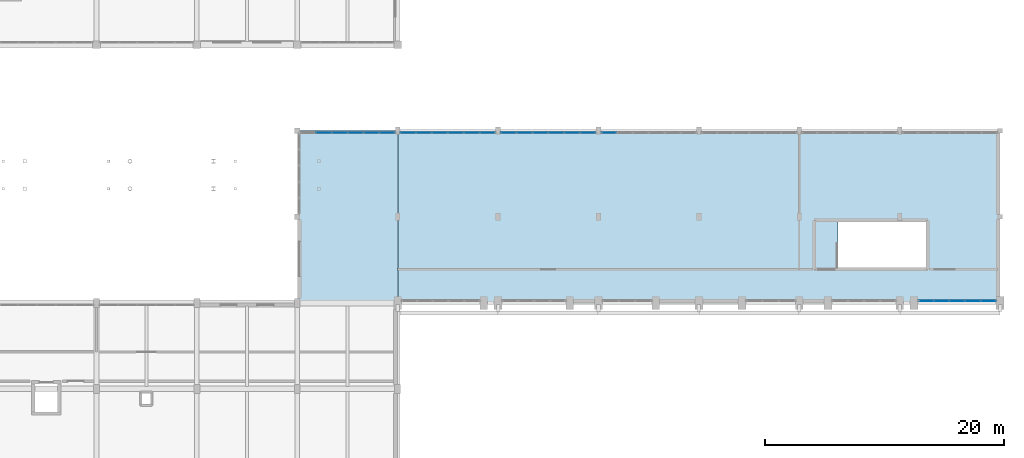
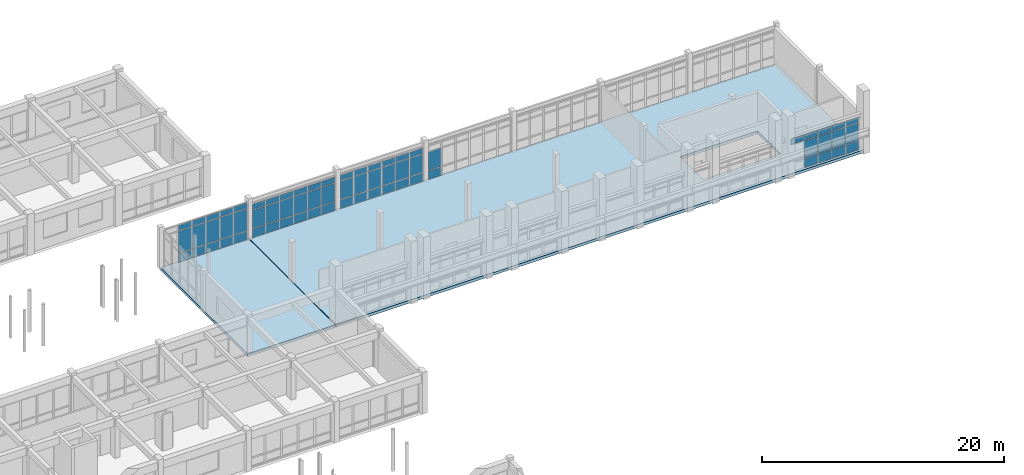
# One storey, part 119 of 147: 66 plates, 2 slabs, 5 elements without a shape of their own.
"""IFC4 building model written with IfcOpenShell, lengths in metres."""

from ifc_helpers import new_model, si_unit, direction, frame, origin, origin_2d, place, context, subcontext, project, spatial, polyline, rectangle, outline, extrude, material, layer, layer_set, type_object, element, aggregate, save


model = new_model("IFC4")

# Units and contexts
model_context = context("Model", 3, precision=1e-05, world=origin(), true_north=direction((0.0, 1.0)))
body_context = subcontext(model_context, "Body", "Model", "MODEL_VIEW")
ifc_project = project(units=[si_unit("LENGTHUNIT", "METRE"), si_unit("AREAUNIT", "SQUARE_METRE"), si_unit("VOLUMEUNIT", "CUBIC_METRE"), si_unit("PLANEANGLEUNIT", "RADIAN"), si_unit("MASSUNIT", "GRAM", prefix="KILO")], contexts=[model_context])

# Site, building, storey
site_placement = place(None, origin())
site = spatial("IfcSite", under=ifc_project, at=site_placement, CompositionType="ELEMENT")
building_placement = place(site_placement, origin())
building = spatial("IfcBuilding", under=site, at=building_placement, Name="Malvenik Polytechnic", CompositionType="ELEMENT")
storey_placement = place(building_placement, frame((0.0, 0.0, 5.10009765625)))
storey = spatial("IfcBuildingStorey", under=building, at=storey_placement, Name="L01", CompositionType="ELEMENT", Elevation=5.10009765625)

# Curtain wall, plates
ifc_material_1 = material(Name="Anodised aluminium 6060-T6", Category="aluminium")
curtain_wall_type_1 = type_object("IfcCurtainWallType", Name="ARC-CW-CW-01", PredefinedType="NOTDEFINED", material=ifc_material_1)
curtain_wall_1_placement = place(storey_placement, origin())
curtain_wall_1 = element("IfcCurtainWall", 1, at=curtain_wall_1_placement, inside=storey, type_object=curtain_wall_type_1, Name="Unitised Curtain Wall CW-01 L01 #64", PredefinedType="NOTDEFINED")
ifc_material_2 = material(Name="Insulated low-E double glazing 8-16-8", Category="glass")
ifc_layer_1 = layer(ifc_material_2, 0.028076171875)
ifc_layer_set_1 = layer_set([ifc_layer_1], Name="Insulated low-E double glazing 8-16-8")
plate_type_1 = type_object("IfcPlateType", Name="ARC-CWP-CP-GLZ28", PredefinedType="CURTAIN_PANEL", material=ifc_layer_set_1)
plate_1_placement = place(storey_placement, frame((128.2177734375, 107.830078125, 0.97998046875), z_axis=(0.0, 0.0, 1.0), x_axis=(1.0, 0.0, 0.0)))
plate_1 = element("IfcPlate", 2, at=plate_1_placement, type_object=plate_type_1, Name="CW-01 panel 2.2", PredefinedType="CURTAIN_PANEL", context=body_context, shape_type="SweptSolid", body=[
    extrude(rectangle(XDim=1.269775390625, YDim=0.028076171875, at=origin_2d()), origin(), (0.0, 0.0, 1.0), 2.199951171875),
])
plate_2_placement = place(storey_placement, frame((128.2177734375, 107.830078125, 3.239990234375), z_axis=(0.0, 0.0, 1.0), x_axis=(1.0, 0.0, 0.0)))
plate_2 = element("IfcPlate", 3, at=plate_2_placement, type_object=plate_type_1, Name="CW-01 panel 2.3", PredefinedType="CURTAIN_PANEL", context=body_context, shape_type="SweptSolid", body=[
    extrude(rectangle(XDim=1.269775390625, YDim=0.028076171875, at=origin_2d()), origin(), (0.0, 0.0, 1.0), 0.56005859375),
])
plate_3_placement = place(storey_placement, frame((129.547607421875, 107.830078125, 0.97998046875), z_axis=(0.0, 0.0, 1.0), x_axis=(1.0, 0.0, 0.0)))
plate_3 = element("IfcPlate", 4, at=plate_3_placement, type_object=plate_type_1, Name="CW-01 panel 3.2", PredefinedType="CURTAIN_PANEL", context=body_context, shape_type="SweptSolid", body=[
    extrude(rectangle(XDim=1.269775390625, YDim=0.028076171875, at=origin_2d()), origin(), (0.0, 0.0, 1.0), 2.199951171875),
])
plate_4_placement = place(storey_placement, frame((129.547607421875, 107.830078125, 3.239990234375), z_axis=(0.0, 0.0, 1.0), x_axis=(1.0, 0.0, 0.0)))
plate_4 = element("IfcPlate", 5, at=plate_4_placement, type_object=plate_type_1, Name="CW-01 panel 3.3", PredefinedType="CURTAIN_PANEL", context=body_context, shape_type="SweptSolid", body=[
    extrude(rectangle(XDim=1.269775390625, YDim=0.028076171875, at=origin_2d()), origin(), (0.0, 0.0, 1.0), 0.56005859375),
])
plate_5_placement = place(storey_placement, frame((130.87744140625, 107.830078125, 0.97998046875), z_axis=(0.0, 0.0, 1.0), x_axis=(1.0, 0.0, 0.0)))
plate_5 = element("IfcPlate", 6, at=plate_5_placement, type_object=plate_type_1, Name="CW-01 panel 4.2", PredefinedType="CURTAIN_PANEL", context=body_context, shape_type="SweptSolid", body=[
    extrude(rectangle(XDim=1.269775390625, YDim=0.028076171875, at=origin_2d()), origin(), (0.0, 0.0, 1.0), 2.199951171875),
])
plate_6_placement = place(storey_placement, frame((130.87744140625, 107.830078125, 3.239990234375), z_axis=(0.0, 0.0, 1.0), x_axis=(1.0, 0.0, 0.0)))
plate_6 = element("IfcPlate", 7, at=plate_6_placement, type_object=plate_type_1, Name="CW-01 panel 4.3", PredefinedType="CURTAIN_PANEL", context=body_context, shape_type="SweptSolid", body=[
    extrude(rectangle(XDim=1.269775390625, YDim=0.028076171875, at=origin_2d()), origin(), (0.0, 0.0, 1.0), 0.56005859375),
])
plate_7_placement = place(storey_placement, frame((132.207275390625, 107.830078125, 0.97998046875), z_axis=(0.0, 0.0, 1.0), x_axis=(1.0, 0.0, 0.0)))
plate_7 = element("IfcPlate", 8, at=plate_7_placement, type_object=plate_type_1, Name="CW-01 panel 5.2", PredefinedType="CURTAIN_PANEL", context=body_context, shape_type="SweptSolid", body=[
    extrude(rectangle(XDim=1.269775390625, YDim=0.028076171875, at=origin_2d()), origin(), (0.0, 0.0, 1.0), 2.199951171875),
])
plate_8_placement = place(storey_placement, frame((132.207275390625, 107.830078125, 3.239990234375), z_axis=(0.0, 0.0, 1.0), x_axis=(1.0, 0.0, 0.0)))
plate_8 = element("IfcPlate", 9, at=plate_8_placement, type_object=plate_type_1, Name="CW-01 panel 5.3", PredefinedType="CURTAIN_PANEL", context=body_context, shape_type="SweptSolid", body=[
    extrude(rectangle(XDim=1.269775390625, YDim=0.028076171875, at=origin_2d()), origin(), (0.0, 0.0, 1.0), 0.56005859375),
])
plate_9_placement = place(storey_placement, frame((133.52197265625, 107.830078125, 0.97998046875), z_axis=(0.0, 0.0, 1.0), x_axis=(1.0, 0.0, 0.0)))
plate_9 = element("IfcPlate", 10, at=plate_9_placement, type_object=plate_type_1, Name="CW-01 panel 6.2", PredefinedType="CURTAIN_PANEL", context=body_context, shape_type="SweptSolid", body=[
    extrude(rectangle(XDim=1.23974609375, YDim=0.028076171875, at=origin_2d()), origin(), (0.0, 0.0, 1.0), 2.199951171875),
])
plate_10_placement = place(storey_placement, frame((133.52197265625, 107.830078125, 3.239990234375), z_axis=(0.0, 0.0, 1.0), x_axis=(1.0, 0.0, 0.0)))
plate_10 = element("IfcPlate", 11, at=plate_10_placement, type_object=plate_type_1, Name="CW-01 panel 6.3", PredefinedType="CURTAIN_PANEL", context=body_context, shape_type="SweptSolid", body=[
    extrude(rectangle(XDim=1.23974609375, YDim=0.028076171875, at=origin_2d()), origin(), (0.0, 0.0, 1.0), 0.56005859375),
])

curtain_wall_type_2 = type_object("IfcCurtainWallType", Name="ARC-CW-CW-02", PredefinedType="NOTDEFINED", material=ifc_material_1)
curtain_wall_2_placement = place(storey_placement, origin())
curtain_wall_2 = element("IfcCurtainWall", 12, at=curtain_wall_2_placement, inside=storey, type_object=curtain_wall_type_2, Name="Unitised Curtain Wall CW-02 L01 #65", PredefinedType="NOTDEFINED")
plate_11_placement = place(storey_placement, frame((135.280029296875, 107.830078125, 0.97998046875), z_axis=(0.0, 0.0, 1.0), x_axis=(1.0, 0.0, 0.0)))
plate_11 = element("IfcPlate", 13, at=plate_11_placement, type_object=plate_type_1, Name="CW-02 panel 1.2", PredefinedType="CURTAIN_PANEL", context=body_context, shape_type="SweptSolid", body=[
    extrude(rectangle(XDim=1.243896484375, YDim=0.028076171875, at=origin_2d()), origin(), (0.0, 0.0, 1.0), 1.837890625),
])
plate_12_placement = place(storey_placement, frame((135.280029296875, 107.830078125, 2.8779296875), z_axis=(0.0, 0.0, 1.0), x_axis=(1.0, 0.0, 0.0)))
plate_12 = element("IfcPlate", 14, at=plate_12_placement, type_object=plate_type_1, Name="CW-02 panel 1.3", PredefinedType="CURTAIN_PANEL", context=body_context, shape_type="SweptSolid", body=[
    extrude(rectangle(XDim=1.243896484375, YDim=0.028076171875, at=origin_2d()), origin(), (0.0, 0.0, 1.0), 0.56005859375),
])
plate_13_placement = place(storey_placement, frame((136.59912109375, 107.830078125, 0.97998046875), z_axis=(0.0, 0.0, 1.0), x_axis=(1.0, 0.0, 0.0)))
plate_13 = element("IfcPlate", 15, at=plate_13_placement, type_object=plate_type_1, Name="CW-02 panel 2.2", PredefinedType="CURTAIN_PANEL", context=body_context, shape_type="SweptSolid", body=[
    extrude(rectangle(XDim=1.27392578125, YDim=0.028076171875, at=origin_2d()), origin(), (0.0, 0.0, 1.0), 1.837890625),
])
plate_14_placement = place(storey_placement, frame((136.59912109375, 107.830078125, 2.8779296875), z_axis=(0.0, 0.0, 1.0), x_axis=(1.0, 0.0, 0.0)))
plate_14 = element("IfcPlate", 16, at=plate_14_placement, type_object=plate_type_1, Name="CW-02 panel 2.3", PredefinedType="CURTAIN_PANEL", context=body_context, shape_type="SweptSolid", body=[
    extrude(rectangle(XDim=1.27392578125, YDim=0.028076171875, at=origin_2d()), origin(), (0.0, 0.0, 1.0), 0.56005859375),
])
plate_15_placement = place(storey_placement, frame((137.93310546875, 107.830078125, 0.97998046875), z_axis=(0.0, 0.0, 1.0), x_axis=(1.0, 0.0, 0.0)))
plate_15 = element("IfcPlate", 17, at=plate_15_placement, type_object=plate_type_1, Name="CW-02 panel 3.2", PredefinedType="CURTAIN_PANEL", context=body_context, shape_type="SweptSolid", body=[
    extrude(rectangle(XDim=1.27392578125, YDim=0.028076171875, at=origin_2d()), origin(), (0.0, 0.0, 1.0), 1.837890625),
])
plate_16_placement = place(storey_placement, frame((137.93310546875, 107.830078125, 2.8779296875), z_axis=(0.0, 0.0, 1.0), x_axis=(1.0, 0.0, 0.0)))
plate_16 = element("IfcPlate", 18, at=plate_16_placement, type_object=plate_type_1, Name="CW-02 panel 3.3", PredefinedType="CURTAIN_PANEL", context=body_context, shape_type="SweptSolid", body=[
    extrude(rectangle(XDim=1.27392578125, YDim=0.028076171875, at=origin_2d()), origin(), (0.0, 0.0, 1.0), 0.56005859375),
])
plate_17_placement = place(storey_placement, frame((139.26708984375, 107.830078125, 0.97998046875), z_axis=(0.0, 0.0, 1.0), x_axis=(1.0, 0.0, 0.0)))
plate_17 = element("IfcPlate", 19, at=plate_17_placement, type_object=plate_type_1, Name="CW-02 panel 4.2", PredefinedType="CURTAIN_PANEL", context=body_context, shape_type="SweptSolid", body=[
    extrude(rectangle(XDim=1.27392578125, YDim=0.028076171875, at=origin_2d()), origin(), (0.0, 0.0, 1.0), 1.837890625),
])
plate_18_placement = place(storey_placement, frame((139.26708984375, 107.830078125, 2.8779296875), z_axis=(0.0, 0.0, 1.0), x_axis=(1.0, 0.0, 0.0)))
plate_18 = element("IfcPlate", 20, at=plate_18_placement, type_object=plate_type_1, Name="CW-02 panel 4.3", PredefinedType="CURTAIN_PANEL", context=body_context, shape_type="SweptSolid", body=[
    extrude(rectangle(XDim=1.27392578125, YDim=0.028076171875, at=origin_2d()), origin(), (0.0, 0.0, 1.0), 0.56005859375),
])
plate_19_placement = place(storey_placement, frame((140.60107421875, 107.830078125, 0.97998046875), z_axis=(0.0, 0.0, 1.0), x_axis=(1.0, 0.0, 0.0)))
plate_19 = element("IfcPlate", 21, at=plate_19_placement, type_object=plate_type_1, Name="CW-02 panel 5.2", PredefinedType="CURTAIN_PANEL", context=body_context, shape_type="SweptSolid", body=[
    extrude(rectangle(XDim=1.27392578125, YDim=0.028076171875, at=origin_2d()), origin(), (0.0, 0.0, 1.0), 1.837890625),
])
plate_20_placement = place(storey_placement, frame((140.60107421875, 107.830078125, 2.8779296875), z_axis=(0.0, 0.0, 1.0), x_axis=(1.0, 0.0, 0.0)))
plate_20 = element("IfcPlate", 22, at=plate_20_placement, type_object=plate_type_1, Name="CW-02 panel 5.3", PredefinedType="CURTAIN_PANEL", context=body_context, shape_type="SweptSolid", body=[
    extrude(rectangle(XDim=1.27392578125, YDim=0.028076171875, at=origin_2d()), origin(), (0.0, 0.0, 1.0), 0.56005859375),
])
plate_21_placement = place(storey_placement, frame((141.919921875, 107.830078125, 0.97998046875), z_axis=(0.0, 0.0, 1.0), x_axis=(1.0, 0.0, 0.0)))
plate_21 = element("IfcPlate", 23, at=plate_21_placement, type_object=plate_type_1, Name="CW-02 panel 6.2", PredefinedType="CURTAIN_PANEL", context=body_context, shape_type="SweptSolid", body=[
    extrude(rectangle(XDim=1.243896484375, YDim=0.028076171875, at=origin_2d()), origin(), (0.0, 0.0, 1.0), 1.837890625),
])
plate_22_placement = place(storey_placement, frame((141.919921875, 107.830078125, 2.8779296875), z_axis=(0.0, 0.0, 1.0), x_axis=(1.0, 0.0, 0.0)))
plate_22 = element("IfcPlate", 24, at=plate_22_placement, type_object=plate_type_1, Name="CW-02 panel 6.3", PredefinedType="CURTAIN_PANEL", context=body_context, shape_type="SweptSolid", body=[
    extrude(rectangle(XDim=1.243896484375, YDim=0.028076171875, at=origin_2d()), origin(), (0.0, 0.0, 1.0), 0.56005859375),
])

curtain_wall_3_placement = place(storey_placement, origin())
curtain_wall_3 = element("IfcCurtainWall", 25, at=curtain_wall_3_placement, inside=storey, type_object=curtain_wall_type_2, Name="Unitised Curtain Wall CW-02 L01 #66", PredefinedType="NOTDEFINED")
plate_23_placement = place(storey_placement, frame((143.679931640625, 107.830078125, 0.97998046875), z_axis=(0.0, 0.0, 1.0), x_axis=(1.0, 0.0, 0.0)))
plate_23 = element("IfcPlate", 26, at=plate_23_placement, type_object=plate_type_1, Name="CW-02 panel 1.2", PredefinedType="CURTAIN_PANEL", context=body_context, shape_type="SweptSolid", body=[
    extrude(rectangle(XDim=1.243896484375, YDim=0.028076171875, at=origin_2d()), origin(), (0.0, 0.0, 1.0), 1.837890625),
])
plate_24_placement = place(storey_placement, frame((143.679931640625, 107.830078125, 2.8779296875), z_axis=(0.0, 0.0, 1.0), x_axis=(1.0, 0.0, 0.0)))
plate_24 = element("IfcPlate", 27, at=plate_24_placement, type_object=plate_type_1, Name="CW-02 panel 1.3", PredefinedType="CURTAIN_PANEL", context=body_context, shape_type="SweptSolid", body=[
    extrude(rectangle(XDim=1.243896484375, YDim=0.028076171875, at=origin_2d()), origin(), (0.0, 0.0, 1.0), 0.56005859375),
])
plate_25_placement = place(storey_placement, frame((144.9990234375, 107.830078125, 0.97998046875), z_axis=(0.0, 0.0, 1.0), x_axis=(1.0, 0.0, 0.0)))
plate_25 = element("IfcPlate", 28, at=plate_25_placement, type_object=plate_type_1, Name="CW-02 panel 2.2", PredefinedType="CURTAIN_PANEL", context=body_context, shape_type="SweptSolid", body=[
    extrude(rectangle(XDim=1.27392578125, YDim=0.028076171875, at=origin_2d()), origin(), (0.0, 0.0, 1.0), 1.837890625),
])
plate_26_placement = place(storey_placement, frame((144.9990234375, 107.830078125, 2.8779296875), z_axis=(0.0, 0.0, 1.0), x_axis=(1.0, 0.0, 0.0)))
plate_26 = element("IfcPlate", 29, at=plate_26_placement, type_object=plate_type_1, Name="CW-02 panel 2.3", PredefinedType="CURTAIN_PANEL", context=body_context, shape_type="SweptSolid", body=[
    extrude(rectangle(XDim=1.27392578125, YDim=0.028076171875, at=origin_2d()), origin(), (0.0, 0.0, 1.0), 0.56005859375),
])
plate_27_placement = place(storey_placement, frame((146.3330078125, 107.830078125, 0.97998046875), z_axis=(0.0, 0.0, 1.0), x_axis=(1.0, 0.0, 0.0)))
plate_27 = element("IfcPlate", 30, at=plate_27_placement, type_object=plate_type_1, Name="CW-02 panel 3.2", PredefinedType="CURTAIN_PANEL", context=body_context, shape_type="SweptSolid", body=[
    extrude(rectangle(XDim=1.27392578125, YDim=0.028076171875, at=origin_2d()), origin(), (0.0, 0.0, 1.0), 1.837890625),
])
plate_28_placement = place(storey_placement, frame((146.3330078125, 107.830078125, 2.8779296875), z_axis=(0.0, 0.0, 1.0), x_axis=(1.0, 0.0, 0.0)))
plate_28 = element("IfcPlate", 31, at=plate_28_placement, type_object=plate_type_1, Name="CW-02 panel 3.3", PredefinedType="CURTAIN_PANEL", context=body_context, shape_type="SweptSolid", body=[
    extrude(rectangle(XDim=1.27392578125, YDim=0.028076171875, at=origin_2d()), origin(), (0.0, 0.0, 1.0), 0.56005859375),
])
plate_29_placement = place(storey_placement, frame((147.6669921875, 107.830078125, 0.97998046875), z_axis=(0.0, 0.0, 1.0), x_axis=(1.0, 0.0, 0.0)))
plate_29 = element("IfcPlate", 32, at=plate_29_placement, type_object=plate_type_1, Name="CW-02 panel 4.2", PredefinedType="CURTAIN_PANEL", context=body_context, shape_type="SweptSolid", body=[
    extrude(rectangle(XDim=1.27392578125, YDim=0.028076171875, at=origin_2d()), origin(), (0.0, 0.0, 1.0), 1.837890625),
])
plate_30_placement = place(storey_placement, frame((147.6669921875, 107.830078125, 2.8779296875), z_axis=(0.0, 0.0, 1.0), x_axis=(1.0, 0.0, 0.0)))
plate_30 = element("IfcPlate", 33, at=plate_30_placement, type_object=plate_type_1, Name="CW-02 panel 4.3", PredefinedType="CURTAIN_PANEL", context=body_context, shape_type="SweptSolid", body=[
    extrude(rectangle(XDim=1.27392578125, YDim=0.028076171875, at=origin_2d()), origin(), (0.0, 0.0, 1.0), 0.56005859375),
])
plate_31_placement = place(storey_placement, frame((149.0009765625, 107.830078125, 0.97998046875), z_axis=(0.0, 0.0, 1.0), x_axis=(1.0, 0.0, 0.0)))
plate_31 = element("IfcPlate", 34, at=plate_31_placement, type_object=plate_type_1, Name="CW-02 panel 5.2", PredefinedType="CURTAIN_PANEL", context=body_context, shape_type="SweptSolid", body=[
    extrude(rectangle(XDim=1.27392578125, YDim=0.028076171875, at=origin_2d()), origin(), (0.0, 0.0, 1.0), 1.837890625),
])
plate_32_placement = place(storey_placement, frame((149.0009765625, 107.830078125, 2.8779296875), z_axis=(0.0, 0.0, 1.0), x_axis=(1.0, 0.0, 0.0)))
plate_32 = element("IfcPlate", 35, at=plate_32_placement, type_object=plate_type_1, Name="CW-02 panel 5.3", PredefinedType="CURTAIN_PANEL", context=body_context, shape_type="SweptSolid", body=[
    extrude(rectangle(XDim=1.27392578125, YDim=0.028076171875, at=origin_2d()), origin(), (0.0, 0.0, 1.0), 0.56005859375),
])
plate_33_placement = place(storey_placement, frame((150.320068359375, 107.830078125, 0.97998046875), z_axis=(0.0, 0.0, 1.0), x_axis=(1.0, 0.0, 0.0)))
plate_33 = element("IfcPlate", 36, at=plate_33_placement, type_object=plate_type_1, Name="CW-02 panel 6.2", PredefinedType="CURTAIN_PANEL", context=body_context, shape_type="SweptSolid", body=[
    extrude(rectangle(XDim=1.243896484375, YDim=0.028076171875, at=origin_2d()), origin(), (0.0, 0.0, 1.0), 1.837890625),
])
plate_34_placement = place(storey_placement, frame((150.320068359375, 107.830078125, 2.8779296875), z_axis=(0.0, 0.0, 1.0), x_axis=(1.0, 0.0, 0.0)))
plate_34 = element("IfcPlate", 37, at=plate_34_placement, type_object=plate_type_1, Name="CW-02 panel 6.3", PredefinedType="CURTAIN_PANEL", context=body_context, shape_type="SweptSolid", body=[
    extrude(rectangle(XDim=1.243896484375, YDim=0.028076171875, at=origin_2d()), origin(), (0.0, 0.0, 1.0), 0.56005859375),
])

# Curtain wall, plate
curtain_wall_4_placement = place(storey_placement, origin())
curtain_wall_4 = element("IfcCurtainWall", 38, at=curtain_wall_4_placement, inside=storey, type_object=curtain_wall_type_2, Name="Unitised Curtain Wall CW-02 L01 #67", PredefinedType="NOTDEFINED")
plate_35_placement = place(storey_placement, frame((152.080078125, 107.830078125, 0.97998046875), z_axis=(0.0, 0.0, 1.0), x_axis=(1.0, 0.0, 0.0)))
plate_35 = element("IfcPlate", 39, at=plate_35_placement, type_object=plate_type_1, Name="CW-02 panel 1.2", PredefinedType="CURTAIN_PANEL", context=body_context, shape_type="SweptSolid", body=[
    extrude(rectangle(XDim=1.243896484375, YDim=0.028076171875, at=origin_2d()), origin(), (0.0, 0.0, 1.0), 1.837890625),
])

# Curtain wall, plates
curtain_wall_type_3 = type_object("IfcCurtainWallType", Name="ARC-CW-CW-05", PredefinedType="NOTDEFINED", material=ifc_material_1)
curtain_wall_5_placement = place(storey_placement, origin())
curtain_wall_5 = element("IfcCurtainWall", 40, at=curtain_wall_5_placement, inside=storey, type_object=curtain_wall_type_3, Name="Unitised Curtain Wall CW-05 L01 #71", PredefinedType="NOTDEFINED")
plate_36_placement = place(storey_placement, frame((183.806640625, 93.77001953125, 0.97998046875), z_axis=(0.0, 0.0, 1.0), x_axis=(-1.0, 0.0, 0.0)))
plate_36 = element("IfcPlate", 41, at=plate_36_placement, type_object=plate_type_1, Name="CW-05 panel 1.2", PredefinedType="CURTAIN_PANEL", context=body_context, shape_type="SweptSolid", body=[
    extrude(rectangle(XDim=1.220703125, YDim=0.028076171875, at=origin_2d()), origin(), (0.0, 0.0, 1.0), 1.7880859375),
])
plate_37_placement = place(storey_placement, frame((183.806640625, 93.77001953125, 2.827880859375), z_axis=(0.0, 0.0, 1.0), x_axis=(-1.0, 0.0, 0.0)))
plate_37 = element("IfcPlate", 42, at=plate_37_placement, type_object=plate_type_1, Name="CW-05 panel 1.3", PredefinedType="CURTAIN_PANEL", context=body_context, shape_type="SweptSolid", body=[
    extrude(rectangle(XDim=1.220703125, YDim=0.028076171875, at=origin_2d()), origin(), (0.0, 0.0, 1.0), 0.56005859375),
])
plate_38_placement = place(storey_placement, frame((182.5107421875, 93.77001953125, 0.97998046875), z_axis=(0.0, 0.0, 1.0), x_axis=(-1.0, 0.0, 0.0)))
plate_38 = element("IfcPlate", 43, at=plate_38_placement, type_object=plate_type_1, Name="CW-05 panel 2.2", PredefinedType="CURTAIN_PANEL", context=body_context, shape_type="SweptSolid", body=[
    extrude(rectangle(XDim=1.250732421875, YDim=0.028076171875, at=origin_2d()), origin(), (0.0, 0.0, 1.0), 1.7880859375),
])
plate_39_placement = place(storey_placement, frame((182.5107421875, 93.77001953125, 2.827880859375), z_axis=(0.0, 0.0, 1.0), x_axis=(-1.0, 0.0, 0.0)))
plate_39 = element("IfcPlate", 44, at=plate_39_placement, type_object=plate_type_1, Name="CW-05 panel 2.3", PredefinedType="CURTAIN_PANEL", context=body_context, shape_type="SweptSolid", body=[
    extrude(rectangle(XDim=1.250732421875, YDim=0.028076171875, at=origin_2d()), origin(), (0.0, 0.0, 1.0), 0.56005859375),
])
plate_40_placement = place(storey_placement, frame((181.199951171875, 93.77001953125, 0.97998046875), z_axis=(0.0, 0.0, 1.0), x_axis=(-1.0, 0.0, 0.0)))
plate_40 = element("IfcPlate", 45, at=plate_40_placement, type_object=plate_type_1, Name="CW-05 panel 3.2", PredefinedType="CURTAIN_PANEL", context=body_context, shape_type="SweptSolid", body=[
    extrude(rectangle(XDim=1.250732421875, YDim=0.028076171875, at=origin_2d()), origin(), (0.0, 0.0, 1.0), 1.7880859375),
])
plate_41_placement = place(storey_placement, frame((181.199951171875, 93.77001953125, 2.827880859375), z_axis=(0.0, 0.0, 1.0), x_axis=(-1.0, 0.0, 0.0)))
plate_41 = element("IfcPlate", 46, at=plate_41_placement, type_object=plate_type_1, Name="CW-05 panel 3.3", PredefinedType="CURTAIN_PANEL", context=body_context, shape_type="SweptSolid", body=[
    extrude(rectangle(XDim=1.250732421875, YDim=0.028076171875, at=origin_2d()), origin(), (0.0, 0.0, 1.0), 0.56005859375),
])
plate_42_placement = place(storey_placement, frame((179.88916015625, 93.77001953125, 0.97998046875), z_axis=(0.0, 0.0, 1.0), x_axis=(-1.0, 0.0, 0.0)))
plate_42 = element("IfcPlate", 47, at=plate_42_placement, type_object=plate_type_1, Name="CW-05 panel 4.2", PredefinedType="CURTAIN_PANEL", context=body_context, shape_type="SweptSolid", body=[
    extrude(rectangle(XDim=1.250732421875, YDim=0.028076171875, at=origin_2d()), origin(), (0.0, 0.0, 1.0), 1.7880859375),
])
plate_43_placement = place(storey_placement, frame((179.88916015625, 93.77001953125, 2.827880859375), z_axis=(0.0, 0.0, 1.0), x_axis=(-1.0, 0.0, 0.0)))
plate_43 = element("IfcPlate", 48, at=plate_43_placement, type_object=plate_type_1, Name="CW-05 panel 4.3", PredefinedType="CURTAIN_PANEL", context=body_context, shape_type="SweptSolid", body=[
    extrude(rectangle(XDim=1.250732421875, YDim=0.028076171875, at=origin_2d()), origin(), (0.0, 0.0, 1.0), 0.56005859375),
])
plate_44_placement = place(storey_placement, frame((178.593505859375, 93.77001953125, 2.827880859375), z_axis=(0.0, 0.0, 1.0), x_axis=(-1.0, 0.0, 0.0)))
plate_44 = element("IfcPlate", 49, at=plate_44_placement, type_object=plate_type_1, Name="CW-05 panel 5.3", PredefinedType="CURTAIN_PANEL", context=body_context, shape_type="SweptSolid", body=[
    extrude(rectangle(XDim=1.220703125, YDim=0.028076171875, at=origin_2d()), origin(), (0.0, 0.0, 1.0), 0.56005859375),
])

# Plate
ifc_material_3 = material(Name="Insulated aluminium spandrel cassette 42mm", Category="aluminium")
ifc_layer_2 = layer(ifc_material_3, 0.0419921875)
ifc_layer_set_2 = layer_set([ifc_layer_2], Name="Insulated aluminium spandrel cassette 42mm")
plate_type_2 = type_object("IfcPlateType", Name="ARC-CWP-CP-SPN42", PredefinedType="CURTAIN_PANEL", material=ifc_layer_set_2)
plate_45_placement = place(storey_placement, frame((128.2177734375, 107.830078125, 0.06005859375), z_axis=(0.0, 0.0, 1.0), x_axis=(1.0, 0.0, 0.0)))
plate_45 = element("IfcPlate", 50, at=plate_45_placement, type_object=plate_type_2, Name="CW-01 panel 2.1", PredefinedType="CURTAIN_PANEL", context=body_context, shape_type="SweptSolid", body=[
    extrude(rectangle(XDim=1.269775390625, YDim=0.028076171875, at=origin_2d()), origin(), (0.0, 0.0, 1.0), 0.860107421875),
])

plate_46_placement = place(storey_placement, frame((129.547607421875, 107.830078125, 0.06005859375), z_axis=(0.0, 0.0, 1.0), x_axis=(1.0, 0.0, 0.0)))
plate_46 = element("IfcPlate", 51, at=plate_46_placement, type_object=plate_type_2, Name="CW-01 panel 3.1", PredefinedType="CURTAIN_PANEL", context=body_context, shape_type="SweptSolid", body=[
    extrude(rectangle(XDim=1.269775390625, YDim=0.028076171875, at=origin_2d()), origin(), (0.0, 0.0, 1.0), 0.860107421875),
])

plate_47_placement = place(storey_placement, frame((130.87744140625, 107.830078125, 0.06005859375), z_axis=(0.0, 0.0, 1.0), x_axis=(1.0, 0.0, 0.0)))
plate_47 = element("IfcPlate", 52, at=plate_47_placement, type_object=plate_type_2, Name="CW-01 panel 4.1", PredefinedType="CURTAIN_PANEL", context=body_context, shape_type="SweptSolid", body=[
    extrude(rectangle(XDim=1.269775390625, YDim=0.028076171875, at=origin_2d()), origin(), (0.0, 0.0, 1.0), 0.860107421875),
])

plate_48_placement = place(storey_placement, frame((132.207275390625, 107.830078125, 0.06005859375), z_axis=(0.0, 0.0, 1.0), x_axis=(1.0, 0.0, 0.0)))
plate_48 = element("IfcPlate", 53, at=plate_48_placement, type_object=plate_type_2, Name="CW-01 panel 5.1", PredefinedType="CURTAIN_PANEL", context=body_context, shape_type="SweptSolid", body=[
    extrude(rectangle(XDim=1.269775390625, YDim=0.028076171875, at=origin_2d()), origin(), (0.0, 0.0, 1.0), 0.860107421875),
])

plate_49_placement = place(storey_placement, frame((133.52197265625, 107.830078125, 0.06005859375), z_axis=(0.0, 0.0, 1.0), x_axis=(1.0, 0.0, 0.0)))
plate_49 = element("IfcPlate", 54, at=plate_49_placement, type_object=plate_type_2, Name="CW-01 panel 6.1", PredefinedType="CURTAIN_PANEL", context=body_context, shape_type="SweptSolid", body=[
    extrude(rectangle(XDim=1.23974609375, YDim=0.028076171875, at=origin_2d()), origin(), (0.0, 0.0, 1.0), 0.860107421875),
])

aggregate(curtain_wall_1, [plate_45, plate_1, plate_2, plate_46, plate_3, plate_4, plate_47, plate_5, plate_6, plate_48, plate_7, plate_8, plate_49, plate_9, plate_10])

plate_50_placement = place(storey_placement, frame((135.280029296875, 107.830078125, 0.06005859375), z_axis=(0.0, 0.0, 1.0), x_axis=(1.0, 0.0, 0.0)))
plate_50 = element("IfcPlate", 55, at=plate_50_placement, type_object=plate_type_2, Name="CW-02 panel 1.1", PredefinedType="CURTAIN_PANEL", context=body_context, shape_type="SweptSolid", body=[
    extrude(rectangle(XDim=1.243896484375, YDim=0.028076171875, at=origin_2d()), origin(), (0.0, 0.0, 1.0), 0.860107421875),
])

plate_51_placement = place(storey_placement, frame((136.59912109375, 107.830078125, 0.06005859375), z_axis=(0.0, 0.0, 1.0), x_axis=(1.0, 0.0, 0.0)))
plate_51 = element("IfcPlate", 56, at=plate_51_placement, type_object=plate_type_2, Name="CW-02 panel 2.1", PredefinedType="CURTAIN_PANEL", context=body_context, shape_type="SweptSolid", body=[
    extrude(rectangle(XDim=1.27392578125, YDim=0.028076171875, at=origin_2d()), origin(), (0.0, 0.0, 1.0), 0.860107421875),
])

plate_52_placement = place(storey_placement, frame((137.93310546875, 107.830078125, 0.06005859375), z_axis=(0.0, 0.0, 1.0), x_axis=(1.0, 0.0, 0.0)))
plate_52 = element("IfcPlate", 57, at=plate_52_placement, type_object=plate_type_2, Name="CW-02 panel 3.1", PredefinedType="CURTAIN_PANEL", context=body_context, shape_type="SweptSolid", body=[
    extrude(rectangle(XDim=1.27392578125, YDim=0.028076171875, at=origin_2d()), origin(), (0.0, 0.0, 1.0), 0.860107421875),
])

plate_53_placement = place(storey_placement, frame((139.26708984375, 107.830078125, 0.06005859375), z_axis=(0.0, 0.0, 1.0), x_axis=(1.0, 0.0, 0.0)))
plate_53 = element("IfcPlate", 58, at=plate_53_placement, type_object=plate_type_2, Name="CW-02 panel 4.1", PredefinedType="CURTAIN_PANEL", context=body_context, shape_type="SweptSolid", body=[
    extrude(rectangle(XDim=1.27392578125, YDim=0.028076171875, at=origin_2d()), origin(), (0.0, 0.0, 1.0), 0.860107421875),
])

plate_54_placement = place(storey_placement, frame((140.60107421875, 107.830078125, 0.06005859375), z_axis=(0.0, 0.0, 1.0), x_axis=(1.0, 0.0, 0.0)))
plate_54 = element("IfcPlate", 59, at=plate_54_placement, type_object=plate_type_2, Name="CW-02 panel 5.1", PredefinedType="CURTAIN_PANEL", context=body_context, shape_type="SweptSolid", body=[
    extrude(rectangle(XDim=1.27392578125, YDim=0.028076171875, at=origin_2d()), origin(), (0.0, 0.0, 1.0), 0.860107421875),
])

plate_55_placement = place(storey_placement, frame((141.919921875, 107.830078125, 0.06005859375), z_axis=(0.0, 0.0, 1.0), x_axis=(1.0, 0.0, 0.0)))
plate_55 = element("IfcPlate", 60, at=plate_55_placement, type_object=plate_type_2, Name="CW-02 panel 6.1", PredefinedType="CURTAIN_PANEL", context=body_context, shape_type="SweptSolid", body=[
    extrude(rectangle(XDim=1.243896484375, YDim=0.028076171875, at=origin_2d()), origin(), (0.0, 0.0, 1.0), 0.860107421875),
])

aggregate(curtain_wall_2, [plate_50, plate_11, plate_12, plate_51, plate_13, plate_14, plate_52, plate_15, plate_16, plate_53, plate_17, plate_18, plate_54, plate_19, plate_20, plate_55, plate_21, plate_22])

plate_56_placement = place(storey_placement, frame((143.679931640625, 107.830078125, 0.06005859375), z_axis=(0.0, 0.0, 1.0), x_axis=(1.0, 0.0, 0.0)))
plate_56 = element("IfcPlate", 61, at=plate_56_placement, type_object=plate_type_2, Name="CW-02 panel 1.1", PredefinedType="CURTAIN_PANEL", context=body_context, shape_type="SweptSolid", body=[
    extrude(rectangle(XDim=1.243896484375, YDim=0.028076171875, at=origin_2d()), origin(), (0.0, 0.0, 1.0), 0.860107421875),
])

plate_57_placement = place(storey_placement, frame((144.9990234375, 107.830078125, 0.06005859375), z_axis=(0.0, 0.0, 1.0), x_axis=(1.0, 0.0, 0.0)))
plate_57 = element("IfcPlate", 62, at=plate_57_placement, type_object=plate_type_2, Name="CW-02 panel 2.1", PredefinedType="CURTAIN_PANEL", context=body_context, shape_type="SweptSolid", body=[
    extrude(rectangle(XDim=1.27392578125, YDim=0.028076171875, at=origin_2d()), origin(), (0.0, 0.0, 1.0), 0.860107421875),
])

plate_58_placement = place(storey_placement, frame((146.3330078125, 107.830078125, 0.06005859375), z_axis=(0.0, 0.0, 1.0), x_axis=(1.0, 0.0, 0.0)))
plate_58 = element("IfcPlate", 63, at=plate_58_placement, type_object=plate_type_2, Name="CW-02 panel 3.1", PredefinedType="CURTAIN_PANEL", context=body_context, shape_type="SweptSolid", body=[
    extrude(rectangle(XDim=1.27392578125, YDim=0.028076171875, at=origin_2d()), origin(), (0.0, 0.0, 1.0), 0.860107421875),
])

plate_59_placement = place(storey_placement, frame((147.6669921875, 107.830078125, 0.06005859375), z_axis=(0.0, 0.0, 1.0), x_axis=(1.0, 0.0, 0.0)))
plate_59 = element("IfcPlate", 64, at=plate_59_placement, type_object=plate_type_2, Name="CW-02 panel 4.1", PredefinedType="CURTAIN_PANEL", context=body_context, shape_type="SweptSolid", body=[
    extrude(rectangle(XDim=1.27392578125, YDim=0.028076171875, at=origin_2d()), origin(), (0.0, 0.0, 1.0), 0.860107421875),
])

plate_60_placement = place(storey_placement, frame((149.0009765625, 107.830078125, 0.06005859375), z_axis=(0.0, 0.0, 1.0), x_axis=(1.0, 0.0, 0.0)))
plate_60 = element("IfcPlate", 65, at=plate_60_placement, type_object=plate_type_2, Name="CW-02 panel 5.1", PredefinedType="CURTAIN_PANEL", context=body_context, shape_type="SweptSolid", body=[
    extrude(rectangle(XDim=1.27392578125, YDim=0.028076171875, at=origin_2d()), origin(), (0.0, 0.0, 1.0), 0.860107421875),
])

plate_61_placement = place(storey_placement, frame((150.320068359375, 107.830078125, 0.06005859375), z_axis=(0.0, 0.0, 1.0), x_axis=(1.0, 0.0, 0.0)))
plate_61 = element("IfcPlate", 66, at=plate_61_placement, type_object=plate_type_2, Name="CW-02 panel 6.1", PredefinedType="CURTAIN_PANEL", context=body_context, shape_type="SweptSolid", body=[
    extrude(rectangle(XDim=1.243896484375, YDim=0.028076171875, at=origin_2d()), origin(), (0.0, 0.0, 1.0), 0.860107421875),
])

aggregate(curtain_wall_3, [plate_56, plate_23, plate_24, plate_57, plate_25, plate_26, plate_58, plate_27, plate_28, plate_59, plate_29, plate_30, plate_60, plate_31, plate_32, plate_61, plate_33, plate_34])

plate_62_placement = place(storey_placement, frame((152.080078125, 107.830078125, 0.06005859375), z_axis=(0.0, 0.0, 1.0), x_axis=(1.0, 0.0, 0.0)))
plate_62 = element("IfcPlate", 67, at=plate_62_placement, type_object=plate_type_2, Name="CW-02 panel 1.1", PredefinedType="CURTAIN_PANEL", context=body_context, shape_type="SweptSolid", body=[
    extrude(rectangle(XDim=1.243896484375, YDim=0.028076171875, at=origin_2d()), origin(), (0.0, 0.0, 1.0), 0.860107421875),
])

aggregate(curtain_wall_4, [plate_62, plate_35])

plate_63_placement = place(storey_placement, frame((183.806640625, 93.77001953125, 0.06005859375), z_axis=(0.0, 0.0, 1.0), x_axis=(-1.0, 0.0, 0.0)))
plate_63 = element("IfcPlate", 68, at=plate_63_placement, type_object=plate_type_2, Name="CW-05 panel 1.1", PredefinedType="CURTAIN_PANEL", context=body_context, shape_type="SweptSolid", body=[
    extrude(rectangle(XDim=1.220703125, YDim=0.028076171875, at=origin_2d()), origin(), (0.0, 0.0, 1.0), 0.860107421875),
])

plate_64_placement = place(storey_placement, frame((182.5107421875, 93.77001953125, 0.06005859375), z_axis=(0.0, 0.0, 1.0), x_axis=(-1.0, 0.0, 0.0)))
plate_64 = element("IfcPlate", 69, at=plate_64_placement, type_object=plate_type_2, Name="CW-05 panel 2.1", PredefinedType="CURTAIN_PANEL", context=body_context, shape_type="SweptSolid", body=[
    extrude(rectangle(XDim=1.250732421875, YDim=0.028076171875, at=origin_2d()), origin(), (0.0, 0.0, 1.0), 0.860107421875),
])

plate_65_placement = place(storey_placement, frame((181.199951171875, 93.77001953125, 0.06005859375), z_axis=(0.0, 0.0, 1.0), x_axis=(-1.0, 0.0, 0.0)))
plate_65 = element("IfcPlate", 70, at=plate_65_placement, type_object=plate_type_2, Name="CW-05 panel 3.1", PredefinedType="CURTAIN_PANEL", context=body_context, shape_type="SweptSolid", body=[
    extrude(rectangle(XDim=1.250732421875, YDim=0.028076171875, at=origin_2d()), origin(), (0.0, 0.0, 1.0), 0.860107421875),
])

plate_66_placement = place(storey_placement, frame((179.88916015625, 93.77001953125, 0.06005859375), z_axis=(0.0, 0.0, 1.0), x_axis=(-1.0, 0.0, 0.0)))
plate_66 = element("IfcPlate", 71, at=plate_66_placement, type_object=plate_type_2, Name="CW-05 panel 4.1", PredefinedType="CURTAIN_PANEL", context=body_context, shape_type="SweptSolid", body=[
    extrude(rectangle(XDim=1.250732421875, YDim=0.028076171875, at=origin_2d()), origin(), (0.0, 0.0, 1.0), 0.860107421875),
])

aggregate(curtain_wall_5, [plate_63, plate_36, plate_37, plate_64, plate_38, plate_39, plate_65, plate_40, plate_41, plate_66, plate_42, plate_43, plate_44])

# Slabs
ifc_material_4 = material(Name="Concrete C35/45", Category="concrete")
ifc_layer_3 = layer(ifc_material_4, 0.280029296875)
ifc_layer_set_3 = layer_set([ifc_layer_3], Name="Concrete C35/45")
slab_type = type_object("IfcSlabType", Name="STR-SLB-FLR-280", PredefinedType="FLOOR", material=ifc_layer_set_3)
slab_1_placement = place(storey_placement, frame((0.0, 0.0, -0.280029296875)))
element("IfcSlab", 72, at=slab_1_placement, inside=storey, type_object=slab_type, Name="Structural Slab L01-V5-N #62", PredefinedType="FLOOR", context=body_context, shape_type="SweptSolid", body=[
    extrude(outline(polyline([(184.800048828125, 93.60009765625), (134.419921875, 93.60009765625), (134.419921875, 108.0), (184.800048828125, 108.0), (184.800048828125, 93.60009765625)]), holes=[polyline([(178.60009765625, 96.550048828125), (178.60009765625, 100.35009765625), (171.218017578125, 100.35009765625), (171.218017578125, 96.550048828125), (178.60009765625, 96.550048828125)])]), origin(), (0.0, 0.0, 1.0), 0.280029296875),
])
slab_2_placement = place(storey_placement, frame((0.0, 0.0, -0.280029296875)))
element("IfcSlab", 73, at=slab_2_placement, inside=storey, type_object=slab_type, Name="Structural Slab L01-V5-N #63", PredefinedType="FLOOR", context=body_context, shape_type="SweptSolid", body=[
    extrude(outline(polyline([(126.0, 93.60009765625), (126.0, 108.0), (134.3798828125, 108.0), (134.3798828125, 93.60009765625), (126.0, 93.60009765625)])), origin(), (0.0, 0.0, 1.0), 0.280029296875),
])

save(model, "model.ifc")
